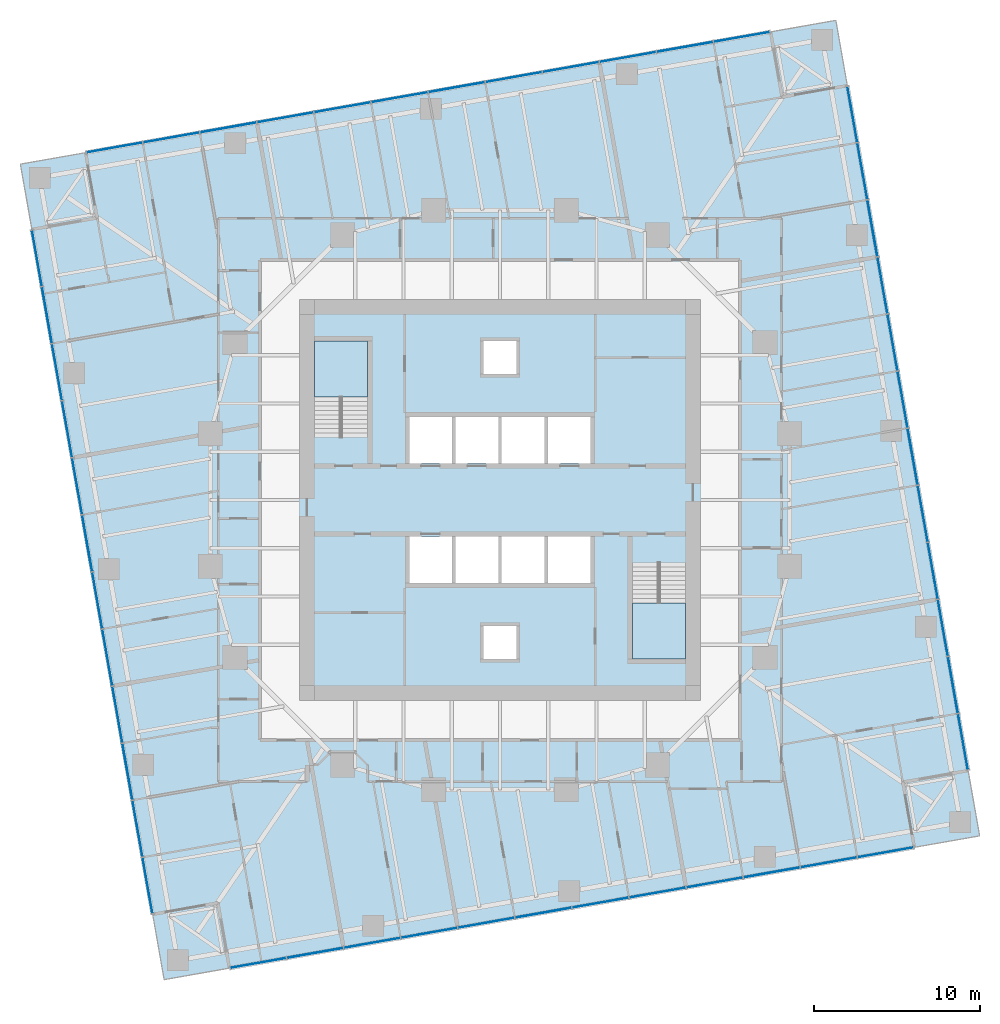
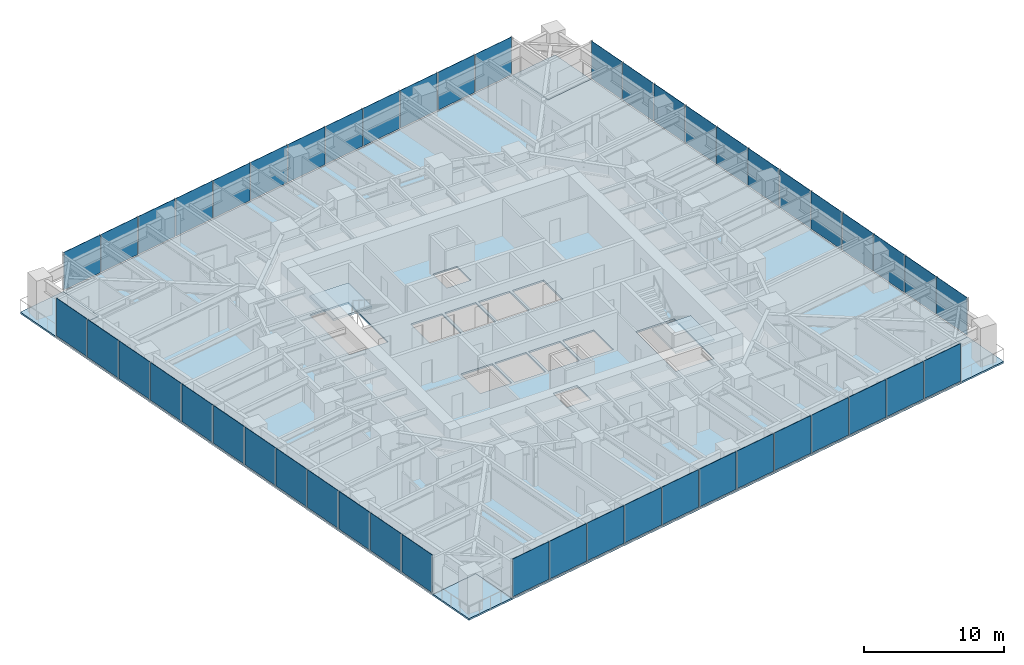
# One storey, part 7 of 14: 48 plates, 7 slabs, 6 elements without a shape of their own.
"""IFC4 building model written with IfcOpenShell, lengths in metres."""

from ifc_helpers import new_model, si_unit, direction, frame, origin, origin_2d, place, context, subcontext, project, spatial, polyline, rectangle, outline, extrude, material, layer, layer_set, type_object, element, aggregate, save


model = new_model("IFC4")

# Units and contexts
model_context = context("Model", 3, precision=1e-05, world=origin(), true_north=direction((0.0, 1.0)))
body_context = subcontext(model_context, "Body", "Model", "MODEL_VIEW")
ifc_project = project(units=[si_unit("LENGTHUNIT", "METRE"), si_unit("AREAUNIT", "SQUARE_METRE"), si_unit("VOLUMEUNIT", "CUBIC_METRE"), si_unit("PLANEANGLEUNIT", "RADIAN"), si_unit("MASSUNIT", "GRAM", prefix="KILO")], contexts=[model_context])

# Site, building, storey
site_placement = place(None, origin())
site = spatial("IfcSite", under=ifc_project, at=site_placement, CompositionType="ELEMENT")
building_placement = place(site_placement, origin())
building = spatial("IfcBuilding", under=site, at=building_placement, Name="Torsade Residences", CompositionType="ELEMENT")
storey_placement = place(building_placement, frame((0.0, 0.0, 79.39990234375)))
storey = spatial("IfcBuildingStorey", under=building, at=storey_placement, Name="L21", CompositionType="ELEMENT", Elevation=79.39990234375)

# Slab
ifc_material_1 = material(Name="Concrete 40 MPa", Category="concrete")
ifc_layer_1 = layer(ifc_material_1, 0.14990234375)
ifc_layer_set_1 = layer_set([ifc_layer_1], Name="Concrete 40 MPa")
slab_type_1 = type_object("IfcSlabType", Name="COMPOSITE FLOOR SLAB 150", PredefinedType="FLOOR", material=ifc_layer_set_1)
slab_1_placement = place(storey_placement, frame((0.0, 0.0, -0.14990234375)))
element("IfcSlab", 1, at=slab_1_placement, inside=storey, type_object=slab_type_1, Name="Floor slab L21", PredefinedType="FLOOR", context=body_context, shape_type="SweptSolid", body=[
    extrude(outline(polyline([(23.66015625, 1.733154296875), (65.022216796875, 9.0263671875), (64.32763671875, 12.965576171875), (68.266845703125, 13.66015625), (60.9736328125, 55.022216796875), (57.034423828125, 54.32763671875), (56.33984375, 58.266845703125), (14.977783203125, 50.9736328125), (15.67236328125, 47.034423828125), (11.733154296875, 46.33984375), (19.0263671875, 4.977783203125), (22.965576171875, 5.67236328125), (23.66015625, 1.733154296875)]), holes=[polyline([(51.199951171875, 20.39990234375), (51.199951171875, 26.1201171875), (48.0, 26.1201171875), (48.0, 20.39990234375), (51.199951171875, 20.39990234375)]), polyline([(45.5, 27.800048828125), (42.89990234375, 27.800048828125), (42.89990234375, 25.0), (45.5, 25.0), (45.5, 27.800048828125)]), polyline([(45.5, 32.199951171875), (45.5, 35.0), (42.89990234375, 35.0), (42.89990234375, 32.199951171875), (45.5, 32.199951171875)]), polyline([(42.699951171875, 25.0), (42.699951171875, 27.800048828125), (40.10009765625, 27.800048828125), (40.10009765625, 25.0), (42.699951171875, 25.0)]), polyline([(42.699951171875, 32.199951171875), (42.699951171875, 35.0), (40.10009765625, 35.0), (40.10009765625, 32.199951171875), (42.699951171875, 32.199951171875)]), polyline([(41.0, 22.39990234375), (39.0, 22.39990234375), (39.0, 20.39990234375), (41.0, 20.39990234375), (41.0, 22.39990234375)]), polyline([(41.0, 37.60009765625), (41.0, 39.60009765625), (39.0, 39.60009765625), (39.0, 37.60009765625), (41.0, 37.60009765625)]), polyline([(39.89990234375, 25.0), (39.89990234375, 27.800048828125), (37.300048828125, 27.800048828125), (37.300048828125, 25.0), (39.89990234375, 25.0)]), polyline([(39.89990234375, 35.0), (37.300048828125, 35.0), (37.300048828125, 32.199951171875), (39.89990234375, 32.199951171875), (39.89990234375, 35.0)]), polyline([(37.10009765625, 27.800048828125), (34.5, 27.800048828125), (34.5, 25.0), (37.10009765625, 25.0), (37.10009765625, 27.800048828125)]), polyline([(37.10009765625, 32.199951171875), (37.10009765625, 35.0), (34.5, 35.0), (34.5, 32.199951171875), (37.10009765625, 32.199951171875)]), polyline([(32.0, 33.8798828125), (32.0, 39.60009765625), (28.800048828125, 39.60009765625), (28.800048828125, 33.8798828125), (32.0, 33.8798828125)])]), origin(), (0.0, 0.0, 1.0), 0.14990234375),
])

# Curtain wall, plates
ifc_material_2 = material(Name="Aluminium and glass", Category="aluminium")
curtain_wall_type = type_object("IfcCurtainWallType", Name="FRITTED GLASS CURTAIN WALL LOW ZONE", PredefinedType="NOTDEFINED", material=ifc_material_2)
curtain_wall_1_placement = place(storey_placement, origin())
curtain_wall_1 = element("IfcCurtainWall", 2, at=curtain_wall_1_placement, inside=storey, type_object=curtain_wall_type, Name="Curtain wall L21 face 1", PredefinedType="NOTDEFINED")
ifc_material_3 = material(Name="Laminated glass", Category="glass")
ifc_layer_2 = layer(ifc_material_3, 0.031982421875)
ifc_layer_set_2 = layer_set([ifc_layer_2], Name="Laminated glass")
plate_type_1 = type_object("IfcPlateType", Name="FRITTED GLASS PANEL", PredefinedType="CURTAIN_PANEL", material=ifc_layer_set_2)
plate_1_placement = place(storey_placement, frame((25.399658203125, 2.039794921875, 0.10009765625), z_axis=(0.0, 0.0, 1.0), x_axis=(0.984807750372, 0.173648192638, 0.0)))
plate_1 = element("IfcPlate", 3, at=plate_1_placement, type_object=plate_type_1, Name="Panel 1", PredefinedType="CURTAIN_PANEL", context=body_context, shape_type="SweptSolid", body=[
    extrude(rectangle(XDim=3.402587890625, YDim=0.031982421875, at=origin_2d()), origin(), (0.0, 0.0, 1.0), 3.300048828125),
])
plate_2_placement = place(storey_placement, frame((32.27734375, 3.252685546875, 0.10009765625), z_axis=(0.0, 0.0, 1.0), x_axis=(0.984807750372, 0.173648192638, 0.0)))
plate_2 = element("IfcPlate", 4, at=plate_2_placement, type_object=plate_type_1, Name="Panel 3", PredefinedType="CURTAIN_PANEL", context=body_context, shape_type="SweptSolid", body=[
    extrude(rectangle(XDim=3.43505859375, YDim=0.031982421875, at=origin_2d()), origin(), (0.0, 0.0, 1.0), 3.300048828125),
])
plate_3_placement = place(storey_placement, frame((35.72412109375, 3.8603515625, 0.10009765625), z_axis=(0.0, 0.0, 1.0), x_axis=(0.984807750372, 0.173648192638, 0.0)))
plate_3 = element("IfcPlate", 5, at=plate_3_placement, type_object=plate_type_1, Name="Panel 4", PredefinedType="CURTAIN_PANEL", context=body_context, shape_type="SweptSolid", body=[
    extrude(rectangle(XDim=3.43505859375, YDim=0.031982421875, at=origin_2d()), origin(), (0.0, 0.0, 1.0), 3.300048828125),
])
plate_4_placement = place(storey_placement, frame((39.1708984375, 4.46826171875, 0.10009765625), z_axis=(0.0, 0.0, 1.0), x_axis=(0.984807750372, 0.173648192638, 0.0)))
plate_4 = element("IfcPlate", 6, at=plate_4_placement, type_object=plate_type_1, Name="Panel 5", PredefinedType="CURTAIN_PANEL", context=body_context, shape_type="SweptSolid", body=[
    extrude(rectangle(XDim=3.43505859375, YDim=0.031982421875, at=origin_2d()), origin(), (0.0, 0.0, 1.0), 3.300048828125),
])
plate_5_placement = place(storey_placement, frame((46.064697265625, 5.68359375, 0.10009765625), z_axis=(0.0, 0.0, 1.0), x_axis=(0.984807750372, 0.173648192638, 0.0)))
plate_5 = element("IfcPlate", 7, at=plate_5_placement, type_object=plate_type_1, Name="Panel 7", PredefinedType="CURTAIN_PANEL", context=body_context, shape_type="SweptSolid", body=[
    extrude(rectangle(XDim=3.43505859375, YDim=0.031982421875, at=origin_2d()), origin(), (0.0, 0.0, 1.0), 3.300048828125),
])
plate_6_placement = place(storey_placement, frame((49.511474609375, 6.29150390625, 0.10009765625), z_axis=(0.0, 0.0, 1.0), x_axis=(0.984807750372, 0.173648192638, 0.0)))
plate_6 = element("IfcPlate", 8, at=plate_6_placement, type_object=plate_type_1, Name="Panel 8", PredefinedType="CURTAIN_PANEL", context=body_context, shape_type="SweptSolid", body=[
    extrude(rectangle(XDim=3.43505859375, YDim=0.031982421875, at=origin_2d()), origin(), (0.0, 0.0, 1.0), 3.300048828125),
])
plate_7_placement = place(storey_placement, frame((52.958251953125, 6.899169921875, 0.10009765625), z_axis=(0.0, 0.0, 1.0), x_axis=(0.984807750372, 0.173648192638, 0.0)))
plate_7 = element("IfcPlate", 9, at=plate_7_placement, type_object=plate_type_1, Name="Panel 9", PredefinedType="CURTAIN_PANEL", context=body_context, shape_type="SweptSolid", body=[
    extrude(rectangle(XDim=3.43505859375, YDim=0.031982421875, at=origin_2d()), origin(), (0.0, 0.0, 1.0), 3.300048828125),
])
plate_8_placement = place(storey_placement, frame((59.851806640625, 8.11474609375, 0.10009765625), z_axis=(0.0, 0.0, 1.0), x_axis=(0.984807750372, 0.173648192638, 0.0)))
plate_8 = element("IfcPlate", 10, at=plate_8_placement, type_object=plate_type_1, Name="Panel 11", PredefinedType="CURTAIN_PANEL", context=body_context, shape_type="SweptSolid", body=[
    extrude(rectangle(XDim=3.43505859375, YDim=0.031982421875, at=origin_2d()), origin(), (0.0, 0.0, 1.0), 3.300048828125),
])
plate_9_placement = place(storey_placement, frame((63.28271484375, 8.7197265625, 0.10009765625), z_axis=(0.0, 0.0, 1.0), x_axis=(0.984807750372, 0.173648192638, 0.0)))
plate_9 = element("IfcPlate", 11, at=plate_9_placement, type_object=plate_type_1, Name="Panel 12", PredefinedType="CURTAIN_PANEL", context=body_context, shape_type="SweptSolid", body=[
    extrude(rectangle(XDim=3.402587890625, YDim=0.031982421875, at=origin_2d()), origin(), (0.0, 0.0, 1.0), 3.300048828125),
])

curtain_wall_2_placement = place(storey_placement, origin())
curtain_wall_2 = element("IfcCurtainWall", 12, at=curtain_wall_2_placement, inside=storey, type_object=curtain_wall_type, Name="Curtain wall L21 face 4", PredefinedType="NOTDEFINED")
plate_10_placement = place(storey_placement, frame((67.960205078125, 15.399658203125, 0.10009765625), z_axis=(0.0, 0.0, 1.0), x_axis=(-0.173648192638, 0.984807750372, 0.0)))
plate_10 = element("IfcPlate", 13, at=plate_10_placement, type_object=plate_type_1, Name="Panel 1", PredefinedType="CURTAIN_PANEL", context=body_context, shape_type="SweptSolid", body=[
    extrude(rectangle(XDim=3.402587890625, YDim=0.031982421875, at=origin_2d()), origin(), (0.0, 0.0, 1.0), 3.300048828125),
])
plate_11_placement = place(storey_placement, frame((66.747314453125, 22.27734375, 0.10009765625), z_axis=(0.0, 0.0, 1.0), x_axis=(-0.173648192638, 0.984807750372, 0.0)))
plate_11 = element("IfcPlate", 14, at=plate_11_placement, type_object=plate_type_1, Name="Panel 3", PredefinedType="CURTAIN_PANEL", context=body_context, shape_type="SweptSolid", body=[
    extrude(rectangle(XDim=3.43505859375, YDim=0.031982421875, at=origin_2d()), origin(), (0.0, 0.0, 1.0), 3.300048828125),
])
plate_12_placement = place(storey_placement, frame((66.1396484375, 25.72412109375, 0.10009765625), z_axis=(0.0, 0.0, 1.0), x_axis=(-0.173648192638, 0.984807750372, 0.0)))
plate_12 = element("IfcPlate", 15, at=plate_12_placement, type_object=plate_type_1, Name="Panel 4", PredefinedType="CURTAIN_PANEL", context=body_context, shape_type="SweptSolid", body=[
    extrude(rectangle(XDim=3.43505859375, YDim=0.031982421875, at=origin_2d()), origin(), (0.0, 0.0, 1.0), 3.300048828125),
])
plate_13_placement = place(storey_placement, frame((65.53173828125, 29.1708984375, 0.10009765625), z_axis=(0.0, 0.0, 1.0), x_axis=(-0.173648192638, 0.984807750372, 0.0)))
plate_13 = element("IfcPlate", 16, at=plate_13_placement, type_object=plate_type_1, Name="Panel 5", PredefinedType="CURTAIN_PANEL", context=body_context, shape_type="SweptSolid", body=[
    extrude(rectangle(XDim=3.43505859375, YDim=0.031982421875, at=origin_2d()), origin(), (0.0, 0.0, 1.0), 3.300048828125),
])
plate_14_placement = place(storey_placement, frame((64.31640625, 36.064697265625, 0.10009765625), z_axis=(0.0, 0.0, 1.0), x_axis=(-0.173648192638, 0.984807750372, 0.0)))
plate_14 = element("IfcPlate", 17, at=plate_14_placement, type_object=plate_type_1, Name="Panel 7", PredefinedType="CURTAIN_PANEL", context=body_context, shape_type="SweptSolid", body=[
    extrude(rectangle(XDim=3.43505859375, YDim=0.031982421875, at=origin_2d()), origin(), (0.0, 0.0, 1.0), 3.300048828125),
])
plate_15_placement = place(storey_placement, frame((63.70849609375, 39.511474609375, 0.10009765625), z_axis=(0.0, 0.0, 1.0), x_axis=(-0.173648192638, 0.984807750372, 0.0)))
plate_15 = element("IfcPlate", 18, at=plate_15_placement, type_object=plate_type_1, Name="Panel 8", PredefinedType="CURTAIN_PANEL", context=body_context, shape_type="SweptSolid", body=[
    extrude(rectangle(XDim=3.43505859375, YDim=0.031982421875, at=origin_2d()), origin(), (0.0, 0.0, 1.0), 3.300048828125),
])
plate_16_placement = place(storey_placement, frame((63.100830078125, 42.958251953125, 0.10009765625), z_axis=(0.0, 0.0, 1.0), x_axis=(-0.173648192638, 0.984807750372, 0.0)))
plate_16 = element("IfcPlate", 19, at=plate_16_placement, type_object=plate_type_1, Name="Panel 9", PredefinedType="CURTAIN_PANEL", context=body_context, shape_type="SweptSolid", body=[
    extrude(rectangle(XDim=3.43505859375, YDim=0.031982421875, at=origin_2d()), origin(), (0.0, 0.0, 1.0), 3.300048828125),
])
plate_17_placement = place(storey_placement, frame((61.88525390625, 49.851806640625, 0.10009765625), z_axis=(0.0, 0.0, 1.0), x_axis=(-0.173648192638, 0.984807750372, 0.0)))
plate_17 = element("IfcPlate", 20, at=plate_17_placement, type_object=plate_type_1, Name="Panel 11", PredefinedType="CURTAIN_PANEL", context=body_context, shape_type="SweptSolid", body=[
    extrude(rectangle(XDim=3.43505859375, YDim=0.031982421875, at=origin_2d()), origin(), (0.0, 0.0, 1.0), 3.300048828125),
])
plate_18_placement = place(storey_placement, frame((61.2802734375, 53.28271484375, 0.10009765625), z_axis=(0.0, 0.0, 1.0), x_axis=(-0.173648192638, 0.984807750372, 0.0)))
plate_18 = element("IfcPlate", 21, at=plate_18_placement, type_object=plate_type_1, Name="Panel 12", PredefinedType="CURTAIN_PANEL", context=body_context, shape_type="SweptSolid", body=[
    extrude(rectangle(XDim=3.402587890625, YDim=0.031982421875, at=origin_2d()), origin(), (0.0, 0.0, 1.0), 3.300048828125),
])

curtain_wall_3_placement = place(storey_placement, origin())
curtain_wall_3 = element("IfcCurtainWall", 22, at=curtain_wall_3_placement, inside=storey, type_object=curtain_wall_type, Name="Curtain wall L21 face 7", PredefinedType="NOTDEFINED")
plate_19_placement = place(storey_placement, frame((54.600341796875, 57.960205078125, 0.10009765625), z_axis=(0.0, 0.0, 1.0), x_axis=(-0.984807750372, -0.173648192638, 0.0)))
plate_19 = element("IfcPlate", 23, at=plate_19_placement, type_object=plate_type_1, Name="Panel 1", PredefinedType="CURTAIN_PANEL", context=body_context, shape_type="SweptSolid", body=[
    extrude(rectangle(XDim=3.402587890625, YDim=0.031982421875, at=origin_2d()), origin(), (0.0, 0.0, 1.0), 3.300048828125),
])
plate_20_placement = place(storey_placement, frame((47.72265625, 56.747314453125, 0.10009765625), z_axis=(0.0, 0.0, 1.0), x_axis=(-0.984807750372, -0.173648192638, 0.0)))
plate_20 = element("IfcPlate", 24, at=plate_20_placement, type_object=plate_type_1, Name="Panel 3", PredefinedType="CURTAIN_PANEL", context=body_context, shape_type="SweptSolid", body=[
    extrude(rectangle(XDim=3.43505859375, YDim=0.031982421875, at=origin_2d()), origin(), (0.0, 0.0, 1.0), 3.300048828125),
])
plate_21_placement = place(storey_placement, frame((44.27587890625, 56.1396484375, 0.10009765625), z_axis=(0.0, 0.0, 1.0), x_axis=(-0.984807750372, -0.173648192638, 0.0)))
plate_21 = element("IfcPlate", 25, at=plate_21_placement, type_object=plate_type_1, Name="Panel 4", PredefinedType="CURTAIN_PANEL", context=body_context, shape_type="SweptSolid", body=[
    extrude(rectangle(XDim=3.43505859375, YDim=0.031982421875, at=origin_2d()), origin(), (0.0, 0.0, 1.0), 3.300048828125),
])
plate_22_placement = place(storey_placement, frame((40.8291015625, 55.53173828125, 0.10009765625), z_axis=(0.0, 0.0, 1.0), x_axis=(-0.984807750372, -0.173648192638, 0.0)))
plate_22 = element("IfcPlate", 26, at=plate_22_placement, type_object=plate_type_1, Name="Panel 5", PredefinedType="CURTAIN_PANEL", context=body_context, shape_type="SweptSolid", body=[
    extrude(rectangle(XDim=3.43505859375, YDim=0.031982421875, at=origin_2d()), origin(), (0.0, 0.0, 1.0), 3.300048828125),
])
plate_23_placement = place(storey_placement, frame((33.935302734375, 54.31640625, 0.10009765625), z_axis=(0.0, 0.0, 1.0), x_axis=(-0.984807750372, -0.173648192638, 0.0)))
plate_23 = element("IfcPlate", 27, at=plate_23_placement, type_object=plate_type_1, Name="Panel 7", PredefinedType="CURTAIN_PANEL", context=body_context, shape_type="SweptSolid", body=[
    extrude(rectangle(XDim=3.43505859375, YDim=0.031982421875, at=origin_2d()), origin(), (0.0, 0.0, 1.0), 3.300048828125),
])
plate_24_placement = place(storey_placement, frame((30.488525390625, 53.70849609375, 0.10009765625), z_axis=(0.0, 0.0, 1.0), x_axis=(-0.984807750372, -0.173648192638, 0.0)))
plate_24 = element("IfcPlate", 28, at=plate_24_placement, type_object=plate_type_1, Name="Panel 8", PredefinedType="CURTAIN_PANEL", context=body_context, shape_type="SweptSolid", body=[
    extrude(rectangle(XDim=3.43505859375, YDim=0.031982421875, at=origin_2d()), origin(), (0.0, 0.0, 1.0), 3.300048828125),
])
plate_25_placement = place(storey_placement, frame((27.041748046875, 53.100830078125, 0.10009765625), z_axis=(0.0, 0.0, 1.0), x_axis=(-0.984807750372, -0.173648192638, 0.0)))
plate_25 = element("IfcPlate", 29, at=plate_25_placement, type_object=plate_type_1, Name="Panel 9", PredefinedType="CURTAIN_PANEL", context=body_context, shape_type="SweptSolid", body=[
    extrude(rectangle(XDim=3.43505859375, YDim=0.031982421875, at=origin_2d()), origin(), (0.0, 0.0, 1.0), 3.300048828125),
])
plate_26_placement = place(storey_placement, frame((20.148193359375, 51.88525390625, 0.10009765625), z_axis=(0.0, 0.0, 1.0), x_axis=(-0.984807750372, -0.173648192638, 0.0)))
plate_26 = element("IfcPlate", 30, at=plate_26_placement, type_object=plate_type_1, Name="Panel 11", PredefinedType="CURTAIN_PANEL", context=body_context, shape_type="SweptSolid", body=[
    extrude(rectangle(XDim=3.43505859375, YDim=0.031982421875, at=origin_2d()), origin(), (0.0, 0.0, 1.0), 3.300048828125),
])
plate_27_placement = place(storey_placement, frame((16.71728515625, 51.2802734375, 0.10009765625), z_axis=(0.0, 0.0, 1.0), x_axis=(-0.984807750372, -0.173648192638, 0.0)))
plate_27 = element("IfcPlate", 31, at=plate_27_placement, type_object=plate_type_1, Name="Panel 12", PredefinedType="CURTAIN_PANEL", context=body_context, shape_type="SweptSolid", body=[
    extrude(rectangle(XDim=3.402587890625, YDim=0.031982421875, at=origin_2d()), origin(), (0.0, 0.0, 1.0), 3.300048828125),
])

curtain_wall_4_placement = place(storey_placement, origin())
curtain_wall_4 = element("IfcCurtainWall", 32, at=curtain_wall_4_placement, inside=storey, type_object=curtain_wall_type, Name="Curtain wall L21 face 10", PredefinedType="NOTDEFINED")
plate_28_placement = place(storey_placement, frame((12.039794921875, 44.600341796875, 0.10009765625), z_axis=(0.0, 0.0, 1.0), x_axis=(0.173648192638, -0.984807750372, 0.0)))
plate_28 = element("IfcPlate", 33, at=plate_28_placement, type_object=plate_type_1, Name="Panel 1", PredefinedType="CURTAIN_PANEL", context=body_context, shape_type="SweptSolid", body=[
    extrude(rectangle(XDim=3.402587890625, YDim=0.031982421875, at=origin_2d()), origin(), (0.0, 0.0, 1.0), 3.300048828125),
])
plate_29_placement = place(storey_placement, frame((13.252685546875, 37.72265625, 0.10009765625), z_axis=(0.0, 0.0, 1.0), x_axis=(0.173648192638, -0.984807750372, 0.0)))
plate_29 = element("IfcPlate", 34, at=plate_29_placement, type_object=plate_type_1, Name="Panel 3", PredefinedType="CURTAIN_PANEL", context=body_context, shape_type="SweptSolid", body=[
    extrude(rectangle(XDim=3.43505859375, YDim=0.031982421875, at=origin_2d()), origin(), (0.0, 0.0, 1.0), 3.300048828125),
])
plate_30_placement = place(storey_placement, frame((13.8603515625, 34.27587890625, 0.10009765625), z_axis=(0.0, 0.0, 1.0), x_axis=(0.173648192638, -0.984807750372, 0.0)))
plate_30 = element("IfcPlate", 35, at=plate_30_placement, type_object=plate_type_1, Name="Panel 4", PredefinedType="CURTAIN_PANEL", context=body_context, shape_type="SweptSolid", body=[
    extrude(rectangle(XDim=3.43505859375, YDim=0.031982421875, at=origin_2d()), origin(), (0.0, 0.0, 1.0), 3.300048828125),
])
plate_31_placement = place(storey_placement, frame((14.46826171875, 30.8291015625, 0.10009765625), z_axis=(0.0, 0.0, 1.0), x_axis=(0.173648192638, -0.984807750372, 0.0)))
plate_31 = element("IfcPlate", 36, at=plate_31_placement, type_object=plate_type_1, Name="Panel 5", PredefinedType="CURTAIN_PANEL", context=body_context, shape_type="SweptSolid", body=[
    extrude(rectangle(XDim=3.43505859375, YDim=0.031982421875, at=origin_2d()), origin(), (0.0, 0.0, 1.0), 3.300048828125),
])
plate_32_placement = place(storey_placement, frame((15.68359375, 23.935302734375, 0.10009765625), z_axis=(0.0, 0.0, 1.0), x_axis=(0.173648192638, -0.984807750372, 0.0)))
plate_32 = element("IfcPlate", 37, at=plate_32_placement, type_object=plate_type_1, Name="Panel 7", PredefinedType="CURTAIN_PANEL", context=body_context, shape_type="SweptSolid", body=[
    extrude(rectangle(XDim=3.43505859375, YDim=0.031982421875, at=origin_2d()), origin(), (0.0, 0.0, 1.0), 3.300048828125),
])
plate_33_placement = place(storey_placement, frame((16.29150390625, 20.488525390625, 0.10009765625), z_axis=(0.0, 0.0, 1.0), x_axis=(0.173648192638, -0.984807750372, 0.0)))
plate_33 = element("IfcPlate", 38, at=plate_33_placement, type_object=plate_type_1, Name="Panel 8", PredefinedType="CURTAIN_PANEL", context=body_context, shape_type="SweptSolid", body=[
    extrude(rectangle(XDim=3.43505859375, YDim=0.031982421875, at=origin_2d()), origin(), (0.0, 0.0, 1.0), 3.300048828125),
])
plate_34_placement = place(storey_placement, frame((16.899169921875, 17.041748046875, 0.10009765625), z_axis=(0.0, 0.0, 1.0), x_axis=(0.173648192638, -0.984807750372, 0.0)))
plate_34 = element("IfcPlate", 39, at=plate_34_placement, type_object=plate_type_1, Name="Panel 9", PredefinedType="CURTAIN_PANEL", context=body_context, shape_type="SweptSolid", body=[
    extrude(rectangle(XDim=3.43505859375, YDim=0.031982421875, at=origin_2d()), origin(), (0.0, 0.0, 1.0), 3.300048828125),
])
plate_35_placement = place(storey_placement, frame((18.11474609375, 10.148193359375, 0.10009765625), z_axis=(0.0, 0.0, 1.0), x_axis=(0.173648192638, -0.984807750372, 0.0)))
plate_35 = element("IfcPlate", 40, at=plate_35_placement, type_object=plate_type_1, Name="Panel 11", PredefinedType="CURTAIN_PANEL", context=body_context, shape_type="SweptSolid", body=[
    extrude(rectangle(XDim=3.43505859375, YDim=0.031982421875, at=origin_2d()), origin(), (0.0, 0.0, 1.0), 3.300048828125),
])
plate_36_placement = place(storey_placement, frame((18.7197265625, 6.71728515625, 0.10009765625), z_axis=(0.0, 0.0, 1.0), x_axis=(0.173648192638, -0.984807750372, 0.0)))
plate_36 = element("IfcPlate", 41, at=plate_36_placement, type_object=plate_type_1, Name="Panel 12", PredefinedType="CURTAIN_PANEL", context=body_context, shape_type="SweptSolid", body=[
    extrude(rectangle(XDim=3.402587890625, YDim=0.031982421875, at=origin_2d()), origin(), (0.0, 0.0, 1.0), 3.300048828125),
])

# Plate
ifc_material_4 = material(Name="Laminated glass", Category="glass")
ifc_layer_3 = layer(ifc_material_4, 0.0400390625)
ifc_layer_set_3 = layer_set([ifc_layer_3], Name="Laminated glass")
plate_type_2 = type_object("IfcPlateType", Name="OPERABLE VENT PANEL", PredefinedType="CURTAIN_PANEL", material=ifc_layer_set_3)
plate_37_placement = place(storey_placement, frame((28.83056640625, 2.644775390625, 0.10009765625), z_axis=(0.0, 0.0, 1.0), x_axis=(0.984807750372, 0.173648192638, 0.0)))
plate_37 = element("IfcPlate", 42, at=plate_37_placement, type_object=plate_type_2, Name="Panel 2", PredefinedType="CURTAIN_PANEL", context=body_context, shape_type="SweptSolid", body=[
    extrude(rectangle(XDim=3.43505859375, YDim=0.0400390625, at=origin_2d()), origin(), (0.0, 0.0, 1.0), 3.300048828125),
])

plate_38_placement = place(storey_placement, frame((42.61767578125, 5.075927734375, 0.10009765625), z_axis=(0.0, 0.0, 1.0), x_axis=(0.984807750372, 0.173648192638, 0.0)))
plate_38 = element("IfcPlate", 43, at=plate_38_placement, type_object=plate_type_2, Name="Panel 6", PredefinedType="CURTAIN_PANEL", context=body_context, shape_type="SweptSolid", body=[
    extrude(rectangle(XDim=3.43505859375, YDim=0.0400390625, at=origin_2d()), origin(), (0.0, 0.0, 1.0), 3.300048828125),
])

plate_39_placement = place(storey_placement, frame((56.405029296875, 7.507080078125, 0.10009765625), z_axis=(0.0, 0.0, 1.0), x_axis=(0.984807750372, 0.173648192638, 0.0)))
plate_39 = element("IfcPlate", 44, at=plate_39_placement, type_object=plate_type_2, Name="Panel 10", PredefinedType="CURTAIN_PANEL", context=body_context, shape_type="SweptSolid", body=[
    extrude(rectangle(XDim=3.43505859375, YDim=0.0400390625, at=origin_2d()), origin(), (0.0, 0.0, 1.0), 3.300048828125),
])

aggregate(curtain_wall_1, [plate_1, plate_37, plate_2, plate_3, plate_4, plate_38, plate_5, plate_6, plate_7, plate_39, plate_8, plate_9])

plate_40_placement = place(storey_placement, frame((67.355224609375, 18.83056640625, 0.10009765625), z_axis=(0.0, 0.0, 1.0), x_axis=(-0.173648192638, 0.984807750372, 0.0)))
plate_40 = element("IfcPlate", 45, at=plate_40_placement, type_object=plate_type_2, Name="Panel 2", PredefinedType="CURTAIN_PANEL", context=body_context, shape_type="SweptSolid", body=[
    extrude(rectangle(XDim=3.43505859375, YDim=0.0400390625, at=origin_2d()), origin(), (0.0, 0.0, 1.0), 3.300048828125),
])

plate_41_placement = place(storey_placement, frame((64.924072265625, 32.61767578125, 0.10009765625), z_axis=(0.0, 0.0, 1.0), x_axis=(-0.173648192638, 0.984807750372, 0.0)))
plate_41 = element("IfcPlate", 46, at=plate_41_placement, type_object=plate_type_2, Name="Panel 6", PredefinedType="CURTAIN_PANEL", context=body_context, shape_type="SweptSolid", body=[
    extrude(rectangle(XDim=3.43505859375, YDim=0.0400390625, at=origin_2d()), origin(), (0.0, 0.0, 1.0), 3.300048828125),
])

plate_42_placement = place(storey_placement, frame((62.492919921875, 46.405029296875, 0.10009765625), z_axis=(0.0, 0.0, 1.0), x_axis=(-0.173648192638, 0.984807750372, 0.0)))
plate_42 = element("IfcPlate", 47, at=plate_42_placement, type_object=plate_type_2, Name="Panel 10", PredefinedType="CURTAIN_PANEL", context=body_context, shape_type="SweptSolid", body=[
    extrude(rectangle(XDim=3.43505859375, YDim=0.0400390625, at=origin_2d()), origin(), (0.0, 0.0, 1.0), 3.300048828125),
])

aggregate(curtain_wall_2, [plate_10, plate_40, plate_11, plate_12, plate_13, plate_41, plate_14, plate_15, plate_16, plate_42, plate_17, plate_18])

plate_43_placement = place(storey_placement, frame((51.16943359375, 57.355224609375, 0.10009765625), z_axis=(0.0, 0.0, 1.0), x_axis=(-0.984807750372, -0.173648192638, 0.0)))
plate_43 = element("IfcPlate", 48, at=plate_43_placement, type_object=plate_type_2, Name="Panel 2", PredefinedType="CURTAIN_PANEL", context=body_context, shape_type="SweptSolid", body=[
    extrude(rectangle(XDim=3.43505859375, YDim=0.0400390625, at=origin_2d()), origin(), (0.0, 0.0, 1.0), 3.300048828125),
])

plate_44_placement = place(storey_placement, frame((37.38232421875, 54.924072265625, 0.10009765625), z_axis=(0.0, 0.0, 1.0), x_axis=(-0.984807750372, -0.173648192638, 0.0)))
plate_44 = element("IfcPlate", 49, at=plate_44_placement, type_object=plate_type_2, Name="Panel 6", PredefinedType="CURTAIN_PANEL", context=body_context, shape_type="SweptSolid", body=[
    extrude(rectangle(XDim=3.43505859375, YDim=0.0400390625, at=origin_2d()), origin(), (0.0, 0.0, 1.0), 3.300048828125),
])

plate_45_placement = place(storey_placement, frame((23.594970703125, 52.492919921875, 0.10009765625), z_axis=(0.0, 0.0, 1.0), x_axis=(-0.984807750372, -0.173648192638, 0.0)))
plate_45 = element("IfcPlate", 50, at=plate_45_placement, type_object=plate_type_2, Name="Panel 10", PredefinedType="CURTAIN_PANEL", context=body_context, shape_type="SweptSolid", body=[
    extrude(rectangle(XDim=3.43505859375, YDim=0.0400390625, at=origin_2d()), origin(), (0.0, 0.0, 1.0), 3.300048828125),
])

aggregate(curtain_wall_3, [plate_19, plate_43, plate_20, plate_21, plate_22, plate_44, plate_23, plate_24, plate_25, plate_45, plate_26, plate_27])

plate_46_placement = place(storey_placement, frame((12.644775390625, 41.16943359375, 0.10009765625), z_axis=(0.0, 0.0, 1.0), x_axis=(0.173648192638, -0.984807750372, 0.0)))
plate_46 = element("IfcPlate", 51, at=plate_46_placement, type_object=plate_type_2, Name="Panel 2", PredefinedType="CURTAIN_PANEL", context=body_context, shape_type="SweptSolid", body=[
    extrude(rectangle(XDim=3.43505859375, YDim=0.0400390625, at=origin_2d()), origin(), (0.0, 0.0, 1.0), 3.300048828125),
])

plate_47_placement = place(storey_placement, frame((15.075927734375, 27.38232421875, 0.10009765625), z_axis=(0.0, 0.0, 1.0), x_axis=(0.173648192638, -0.984807750372, 0.0)))
plate_47 = element("IfcPlate", 52, at=plate_47_placement, type_object=plate_type_2, Name="Panel 6", PredefinedType="CURTAIN_PANEL", context=body_context, shape_type="SweptSolid", body=[
    extrude(rectangle(XDim=3.43505859375, YDim=0.0400390625, at=origin_2d()), origin(), (0.0, 0.0, 1.0), 3.300048828125),
])

plate_48_placement = place(storey_placement, frame((17.507080078125, 13.594970703125, 0.10009765625), z_axis=(0.0, 0.0, 1.0), x_axis=(0.173648192638, -0.984807750372, 0.0)))
plate_48 = element("IfcPlate", 53, at=plate_48_placement, type_object=plate_type_2, Name="Panel 10", PredefinedType="CURTAIN_PANEL", context=body_context, shape_type="SweptSolid", body=[
    extrude(rectangle(XDim=3.43505859375, YDim=0.0400390625, at=origin_2d()), origin(), (0.0, 0.0, 1.0), 3.300048828125),
])

aggregate(curtain_wall_4, [plate_28, plate_46, plate_29, plate_30, plate_31, plate_47, plate_32, plate_33, plate_34, plate_48, plate_35, plate_36])

# Stair, slab
ifc_material_5 = material(Name="Precast concrete 40 MPa", Category="concrete")
stair_type = type_object("IfcStairType", Name="HALF-TURN FIRE STAIR 1500x3400", PredefinedType="HALF_TURN_STAIR", material=ifc_material_5)
stair_1_placement = place(storey_placement, origin())
stair_1 = element("IfcStair", 54, at=stair_1_placement, inside=storey, type_object=stair_type, Name="Stair ST1 L21", PredefinedType="HALF_TURN_STAIR")
ifc_material_6 = material(Name="Precast concrete 40 MPa", Category="concrete")
ifc_layer_4 = layer(ifc_material_6, 0.179931640625)
ifc_layer_set_4 = layer_set([ifc_layer_4], Name="Precast concrete 40 MPa")
slab_type_2 = type_object("IfcSlabType", Name="PRECAST STAIR LANDING 180", PredefinedType="LANDING", material=ifc_layer_set_4)
slab_2_placement = place(storey_placement, frame((0.0, 0.0, 1.52001953125)))
slab_2 = element("IfcSlab", 55, at=slab_2_placement, type_object=slab_type_2, Name="ST1 landing 1", PredefinedType="LANDING", context=body_context, shape_type="SweptSolid", body=[
    extrude(outline(polyline([(28.800048828125, 36.2099609375), (32.0, 36.2099609375), (32.0, 39.60009765625), (28.800048828125, 39.60009765625), (28.800048828125, 36.2099609375)])), origin(), (0.0, 0.0, 1.0), 0.18017578125),
])
aggregate(stair_1, [slab_2])

stair_2_placement = place(storey_placement, origin())
stair_2 = element("IfcStair", 56, at=stair_2_placement, inside=storey, type_object=stair_type, Name="Stair ST2 L21", PredefinedType="HALF_TURN_STAIR")
slab_3_placement = place(storey_placement, frame((0.0, 0.0, 1.52001953125)))
slab_3 = element("IfcSlab", 57, at=slab_3_placement, type_object=slab_type_2, Name="ST2 landing 1", PredefinedType="LANDING", context=body_context, shape_type="SweptSolid", body=[
    extrude(outline(polyline([(48.0, 20.39990234375), (51.199951171875, 20.39990234375), (51.199951171875, 23.7900390625), (48.0, 23.7900390625), (48.0, 20.39990234375)])), origin(), (0.0, 0.0, 1.0), 0.18017578125),
])
aggregate(stair_2, [slab_3])

# Slabs
ifc_material_7 = material(Name="Concrete 40 MPa", Category="concrete")
ifc_layer_5 = layer(ifc_material_7, 0.14990234375)
ifc_layer_set_5 = layer_set([ifc_layer_5], Name="Concrete 40 MPa")
slab_type_3 = type_object("IfcSlabType", Name="TERRACE SLAB 150", PredefinedType="FLOOR", material=ifc_layer_set_5)
slab_4_placement = place(storey_placement, frame((0.0, 0.0, -0.14990234375)))
element("IfcSlab", 58, at=slab_4_placement, inside=storey, type_object=slab_type_3, Name="Corner terrace slab SE L21", PredefinedType="FLOOR", context=body_context, shape_type="SweptSolid", body=[
    extrude(outline(polyline([(65.022216796875, 9.0263671875), (68.96142578125, 9.720947265625), (68.266845703125, 13.66015625), (64.32763671875, 12.965576171875), (65.022216796875, 9.0263671875)])), origin(), (0.0, 0.0, 1.0), 0.14990234375),
])
slab_5_placement = place(storey_placement, frame((0.0, 0.0, -0.14990234375)))
element("IfcSlab", 59, at=slab_5_placement, inside=storey, type_object=slab_type_3, Name="Corner terrace slab NE L21", PredefinedType="FLOOR", context=body_context, shape_type="SweptSolid", body=[
    extrude(outline(polyline([(57.034423828125, 54.32763671875), (60.9736328125, 55.022216796875), (60.279052734375, 58.96142578125), (56.33984375, 58.266845703125), (57.034423828125, 54.32763671875)])), origin(), (0.0, 0.0, 1.0), 0.14990234375),
])
slab_6_placement = place(storey_placement, frame((0.0, 0.0, -0.14990234375)))
element("IfcSlab", 60, at=slab_6_placement, inside=storey, type_object=slab_type_3, Name="Corner terrace slab NW L21", PredefinedType="FLOOR", context=body_context, shape_type="SweptSolid", body=[
    extrude(outline(polyline([(11.733154296875, 46.33984375), (15.67236328125, 47.034423828125), (14.977783203125, 50.9736328125), (11.03857421875, 50.279052734375), (11.733154296875, 46.33984375)])), origin(), (0.0, 0.0, 1.0), 0.14990234375),
])
slab_7_placement = place(storey_placement, frame((0.0, 0.0, -0.14990234375)))
element("IfcSlab", 61, at=slab_7_placement, inside=storey, type_object=slab_type_3, Name="Corner terrace slab SW L21", PredefinedType="FLOOR", context=body_context, shape_type="SweptSolid", body=[
    extrude(outline(polyline([(19.720947265625, 1.03857421875), (23.66015625, 1.733154296875), (22.965576171875, 5.67236328125), (19.0263671875, 4.977783203125), (19.720947265625, 1.03857421875)])), origin(), (0.0, 0.0, 1.0), 0.14990234375),
])

save(model, "model.ifc")
